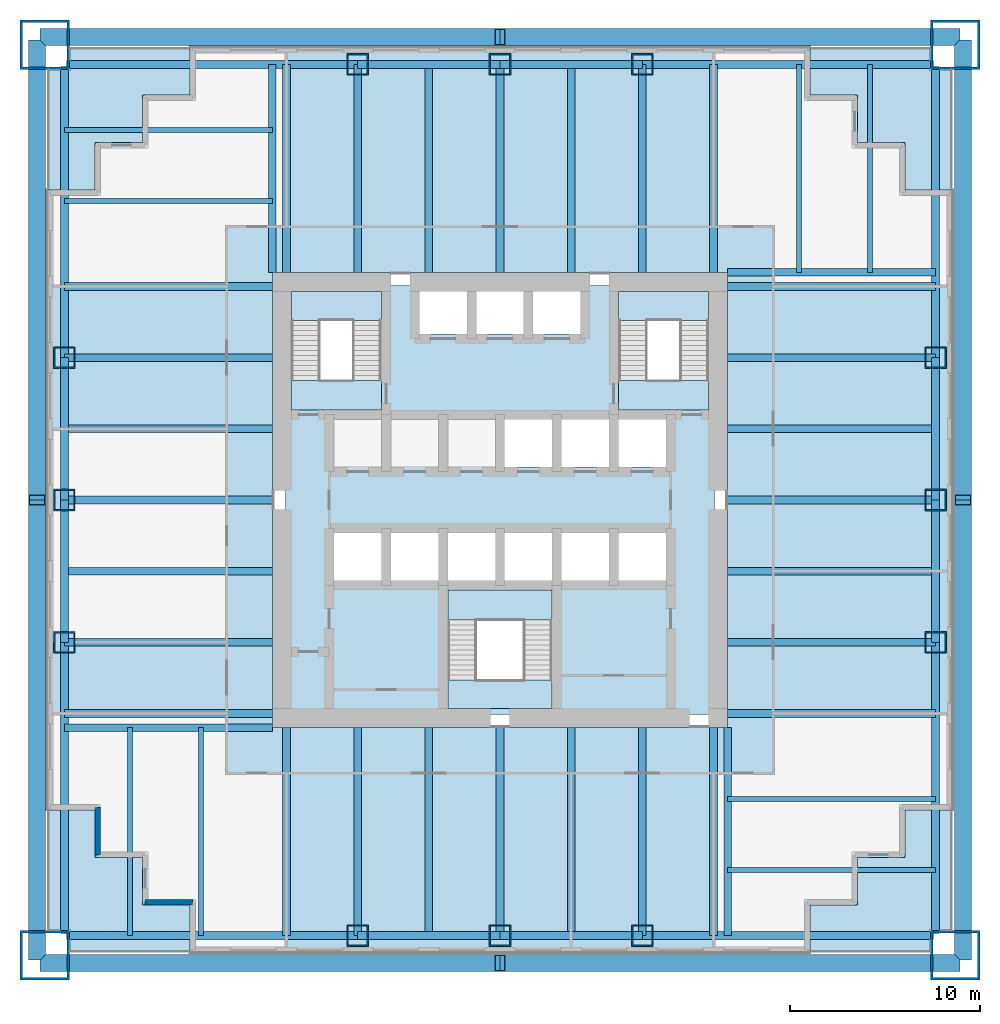
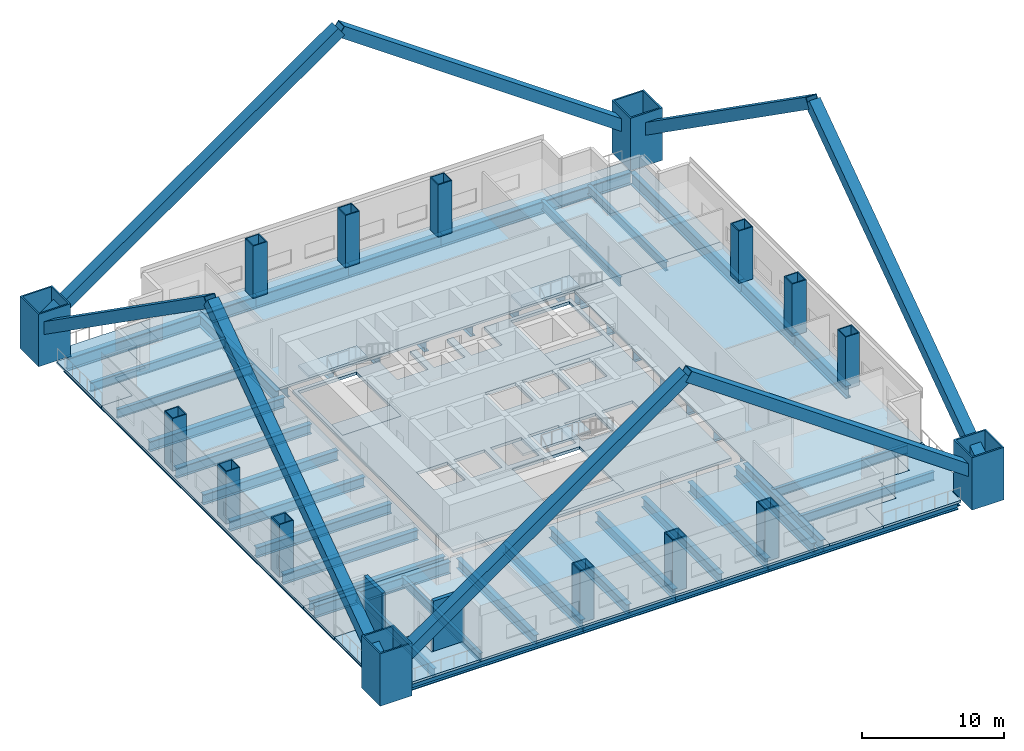
# One storey, part 1 of 6: 56 beams, 16 columns, 15 slabs, 8 members, 2 walls, 3 elements without a shape of their own.
"""IFC4 building model written with IfcOpenShell, lengths in metres."""

from ifc_helpers import new_model, si_unit, direction, frame, frame_2d, origin, origin_2d, place, context, subcontext, project, spatial, polyline, rectangle, hollow_rectangle, i_section, outline, extrude, material, layer, layer_set, material_profile, profile_set, type_object, element, aggregate, save


model = new_model("IFC4")

# Units and contexts
model_context = context("Model", 3, precision=1e-05, world=origin(), true_north=direction((0.0, 1.0)))
body_context = subcontext(model_context, "Body", "Model", "MODEL_VIEW")
ifc_project = project(units=[si_unit("LENGTHUNIT", "METRE"), si_unit("AREAUNIT", "SQUARE_METRE"), si_unit("VOLUMEUNIT", "CUBIC_METRE"), si_unit("PLANEANGLEUNIT", "RADIAN"), si_unit("MASSUNIT", "GRAM", prefix="KILO")], contexts=[model_context])

# Site, building, storey
site_placement = place(None, origin())
site = spatial("IfcSite", under=ifc_project, at=site_placement, CompositionType="ELEMENT")
building_placement = place(site_placement, origin())
building = spatial("IfcBuilding", under=site, at=building_placement, Name="Tarangal Relay Tower", CompositionType="ELEMENT")
storey_placement = place(building_placement, frame((0.0, 0.0, 135.89990234375)))
storey = spatial("IfcBuildingStorey", under=building, at=storey_placement, Name="L27", CompositionType="ELEMENT", Elevation=135.89990234375)

# Columns
ifc_material_1 = material(Name="Steel ASTM A572 Grade 42", Category="steel")
ifc_material_profile_1 = material_profile(ifc_material_1, hollow_rectangle(XDim=2.60009765625, YDim=2.60009765625, WallThickness=0.1298828125, at=origin_2d()), Name="BOX2600X2600X130")
ifc_profile_set_1 = profile_set([ifc_material_profile_1], Name="Steel ASTM A572 Grade 42")
column_type_1 = type_object("IfcColumnType", Name="Mega column BOX2600X2600X130", PredefinedType="COLUMN", material=ifc_profile_set_1)
for number, where, z_axis, x_axis, name in (
    (1, (24.0, 24.0, 0.0), (0.0, 0.0, 1.0), (1.0, 0.0, 0.0), "Mega column MC2 NE L27"),
    (2, (24.0, -24.0, 0.0), (0.0, 0.0, 1.0), (1.0, 0.0, 0.0), "Mega column MC2 SE L27"),
    (3, (-24.0, -24.0, 0.0), (0.0, 0.0, 1.0), (1.0, 0.0, 0.0), "Mega column MC2 SW L27"),
    (4, (-24.0, 24.0, 0.0), (0.0, 0.0, 1.0), (1.0, 0.0, 0.0), "Mega column MC2 NW L27"),
):
    element("IfcColumn", number, at=place(storey_placement, frame(where, z_axis=z_axis, x_axis=x_axis)), inside=storey, type_object=column_type_1, Name=name, PredefinedType="COLUMN", context=body_context, shape_type="SweptSolid", body=[
        extrude(hollow_rectangle(XDim=2.60009765625, YDim=2.60009765625, WallThickness=0.1298828125, at=origin_2d()), origin(), (0.0, 0.0, 1.0), 4.5),
    ])
ifc_material_2 = material(Name="Steel ASTM A572 Grade 50", Category="steel")
ifc_material_profile_2 = material_profile(ifc_material_2, hollow_rectangle(XDim=1.14990234375, YDim=1.14990234375, WallThickness=0.074951171875, at=origin_2d()), Name="BOX1150X1150X75")
ifc_profile_set_2 = profile_set([ifc_material_profile_2], Name="Steel ASTM A572 Grade 50")
column_type_2 = type_object("IfcColumnType", Name="Perimeter column BOX1150X1150X75", PredefinedType="COLUMN", material=ifc_profile_set_2)
for number, where, z_axis, x_axis, name in (
    (5, (-7.5, 22.965087890625, 0.0), (0.0, 0.0, 1.0), (1.0, 0.0, 0.0), "Perimeter column PC3 N L27"),
    (6, (0.0, 22.965087890625, 0.0), (0.0, 0.0, 1.0), (1.0, 0.0, 0.0), "Perimeter column PC3 N L27"),
    (7, (7.5, 22.965087890625, 0.0), (0.0, 0.0, 1.0), (1.0, 0.0, 0.0), "Perimeter column PC3 N L27"),
    (8, (22.965087890625, 7.5, 0.0), (0.0, 0.0, 1.0), (1.0, 0.0, 0.0), "Perimeter column PC3 E L27"),
    (9, (22.965087890625, 0.0, 0.0), (0.0, 0.0, 1.0), (1.0, 0.0, 0.0), "Perimeter column PC3 E L27"),
    (10, (22.965087890625, -7.5, 0.0), (0.0, 0.0, 1.0), (1.0, 0.0, 0.0), "Perimeter column PC3 E L27"),
    (11, (7.5, -22.965087890625, 0.0), (0.0, 0.0, 1.0), (1.0, 0.0, 0.0), "Perimeter column PC3 S L27"),
    (12, (0.0, -22.965087890625, 0.0), (0.0, 0.0, 1.0), (1.0, 0.0, 0.0), "Perimeter column PC3 S L27"),
    (13, (-7.5, -22.965087890625, 0.0), (0.0, 0.0, 1.0), (1.0, 0.0, 0.0), "Perimeter column PC3 S L27"),
    (14, (-22.965087890625, -7.5, 0.0), (0.0, 0.0, 1.0), (1.0, 0.0, 0.0), "Perimeter column PC3 W L27"),
    (15, (-22.965087890625, 0.0, 0.0), (0.0, 0.0, 1.0), (1.0, 0.0, 0.0), "Perimeter column PC3 W L27"),
    (16, (-22.965087890625, 7.5, 0.0), (0.0, 0.0, 1.0), (1.0, 0.0, 0.0), "Perimeter column PC3 W L27"),
):
    element("IfcColumn", number, at=place(storey_placement, frame(where, z_axis=z_axis, x_axis=x_axis)), inside=storey, type_object=column_type_2, Name=name, PredefinedType="COLUMN", context=body_context, shape_type="SweptSolid", body=[
        extrude(hollow_rectangle(XDim=1.14990234375, YDim=1.14990234375, WallThickness=0.074951171875, at=origin_2d()), origin(), (0.0, 0.0, 1.0), 4.5),
    ])

# Beams
ifc_material_3 = material(Name="Steel ASTM A992", Category="steel")
ifc_material_profile_3 = material_profile(ifc_material_3, i_section(OverallWidth=0.2666015625, OverallDepth=0.76953125, WebThickness=0.015625, FlangeThickness=0.025390625, at=origin_2d()), Name="W30X132")
ifc_profile_set_3 = profile_set([ifc_material_profile_3], Name="Steel ASTM A992")
beam_type_1 = type_object("IfcBeamType", Name="Corner beam W30X132", PredefinedType="JOIST", material=ifc_profile_set_3)
for number, where, z_axis, x_axis, name in (
    (17, (15.75, 12.0, -0.584716796875), (0.0, 1.0, 0.0), (-1.0, 0.0, 0.0), "Corner beam CB13 N L27"),
    (18, (19.5, 12.0, -0.584716796875), (0.0, 1.0, 0.0), (-1.0, 0.0, 0.0), "Corner beam CB13 N L27"),
    (19, (12.0, -15.75, -0.584716796875), (1.0, 0.0, 0.0), (0.0, 1.0, 0.0), "Corner beam CB13 E L27"),
    (20, (12.0, -19.5, -0.584716796875), (1.0, 0.0, 0.0), (0.0, 1.0, 0.0), "Corner beam CB13 E L27"),
    (21, (-15.75, -12.0, -0.584716796875), (0.0, -1.0, 0.0), (1.0, 0.0, 0.0), "Corner beam CB13 S L27"),
    (22, (-19.5, -12.0, -0.584716796875), (0.0, -1.0, 0.0), (1.0, 0.0, 0.0), "Corner beam CB13 S L27"),
    (23, (-12.0, 15.75, -0.584716796875), (-1.0, 0.0, 0.0), (0.0, -1.0, 0.0), "Corner beam CB13 W L27"),
    (24, (-12.0, 19.5, -0.584716796875), (-1.0, 0.0, 0.0), (0.0, -1.0, 0.0), "Corner beam CB13 W L27"),
):
    element("IfcBeam", number, at=place(storey_placement, frame(where, z_axis=z_axis, x_axis=x_axis)), inside=storey, type_object=beam_type_1, Name=name, PredefinedType="JOIST", context=body_context, shape_type="SweptSolid", body=[
        extrude(i_section(OverallWidth=0.2666015625, OverallDepth=0.76953125, WebThickness=0.015625, FlangeThickness=0.025390625, at=origin_2d()), origin(), (0.0, 0.0, 1.0), 10.965087890625),
    ])
ifc_material_profile_4 = material_profile(ifc_material_3, i_section(OverallWidth=0.4013671875, OverallDepth=1.01611328125, WebThickness=0.02099609375, FlangeThickness=0.0400390625, at=origin_2d()), Name="W40X277")
ifc_profile_set_4 = profile_set([ifc_material_profile_4], Name="Steel ASTM A992")
beam_type_2 = type_object("IfcBeamType", Name="Corner girder W40X277", PredefinedType="BEAM", material=ifc_profile_set_4)
for number, where, z_axis, x_axis, name in (
    (25, (12.0, 12.0, -0.7080078125), (1.0, 0.0, 0.0), (0.0, 1.0, 0.0), "Corner girder CG3 N L27"),
    (26, (12.0, -12.0, -0.7080078125), (0.0, -1.0, 0.0), (1.0, 0.0, 0.0), "Corner girder CG3 E L27"),
    (27, (-12.0, -12.0, -0.7080078125), (-1.0, 0.0, 0.0), (0.0, -1.0, 0.0), "Corner girder CG3 S L27"),
    (28, (-12.0, 12.0, -0.7080078125), (0.0, 1.0, 0.0), (-1.0, 0.0, 0.0), "Corner girder CG3 W L27"),
):
    element("IfcBeam", number, at=place(storey_placement, frame(where, z_axis=z_axis, x_axis=x_axis)), inside=storey, type_object=beam_type_2, Name=name, PredefinedType="BEAM", context=body_context, shape_type="SweptSolid", body=[
        extrude(i_section(OverallWidth=0.4013671875, OverallDepth=1.01611328125, WebThickness=0.02099609375, FlangeThickness=0.0400390625, at=origin_2d()), origin(), (0.0, 0.0, 1.0), 10.965087890625),
    ])
ifc_material_profile_5 = material_profile(ifc_material_3, i_section(OverallWidth=0.41650390625, OverallDepth=1.0693359375, WebThickness=0.0390625, FlangeThickness=0.070068359375, at=origin_2d()), Name="W40X503")
ifc_profile_set_5 = profile_set([ifc_material_profile_5], Name="Steel ASTM A992")
beam_type_3 = type_object("IfcBeamType", Name="Edge girder W40X503", PredefinedType="SPANDREL", material=ifc_profile_set_5)
beam_1_placement = place(storey_placement, frame((-22.85009765625, 22.965087890625, -0.734619140625), z_axis=(1.0, 0.0, 0.0), x_axis=(0.0, 1.0, 0.0)))
element("IfcBeam", 29, at=beam_1_placement, inside=storey, type_object=beam_type_3, Name="Edge girder EG8 N L27", PredefinedType="SPANDREL", context=body_context, shape_type="SweptSolid", body=[
    extrude(i_section(OverallWidth=0.41650390625, OverallDepth=1.0693359375, WebThickness=0.0390625, FlangeThickness=0.070068359375, at=origin_2d()), origin(), (0.0, 0.0, 1.0), 15.35009765625),
])
for number, where, z_axis, x_axis, name in (
    (30, (-7.5, 22.965087890625, -0.734619140625), (1.0, 0.0, 0.0), (0.0, 1.0, 0.0), "Edge girder EG8 N L27"),
    (31, (0.0, 22.965087890625, -0.734619140625), (1.0, 0.0, 0.0), (0.0, 1.0, 0.0), "Edge girder EG8 N L27"),
):
    element("IfcBeam", number, at=place(storey_placement, frame(where, z_axis=z_axis, x_axis=x_axis)), inside=storey, type_object=beam_type_3, Name=name, PredefinedType="SPANDREL", context=body_context, shape_type="SweptSolid", body=[
        extrude(i_section(OverallWidth=0.41650390625, OverallDepth=1.0693359375, WebThickness=0.0390625, FlangeThickness=0.070068359375, at=origin_2d()), origin(), (0.0, 0.0, 1.0), 7.5),
    ])
for number, where, z_axis, x_axis, name in (
    (32, (7.5, 22.965087890625, -0.734619140625), (1.0, 0.0, 0.0), (0.0, 1.0, 0.0), "Edge girder EG8 N L27"),
    (33, (22.965087890625, 22.85009765625, -0.734619140625), (0.0, -1.0, 0.0), (1.0, 0.0, 0.0), "Edge girder EG8 E L27"),
):
    element("IfcBeam", number, at=place(storey_placement, frame(where, z_axis=z_axis, x_axis=x_axis)), inside=storey, type_object=beam_type_3, Name=name, PredefinedType="SPANDREL", context=body_context, shape_type="SweptSolid", body=[
        extrude(i_section(OverallWidth=0.41650390625, OverallDepth=1.0693359375, WebThickness=0.0390625, FlangeThickness=0.070068359375, at=origin_2d()), origin(), (0.0, 0.0, 1.0), 15.35009765625),
    ])
for number, where, z_axis, x_axis, name in (
    (34, (22.965087890625, 7.5, -0.734619140625), (0.0, -1.0, 0.0), (1.0, 0.0, 0.0), "Edge girder EG8 E L27"),
    (35, (22.965087890625, 0.0, -0.734619140625), (0.0, -1.0, 0.0), (1.0, 0.0, 0.0), "Edge girder EG8 E L27"),
):
    element("IfcBeam", number, at=place(storey_placement, frame(where, z_axis=z_axis, x_axis=x_axis)), inside=storey, type_object=beam_type_3, Name=name, PredefinedType="SPANDREL", context=body_context, shape_type="SweptSolid", body=[
        extrude(i_section(OverallWidth=0.41650390625, OverallDepth=1.0693359375, WebThickness=0.0390625, FlangeThickness=0.070068359375, at=origin_2d()), origin(), (0.0, 0.0, 1.0), 7.5),
    ])
for number, where, z_axis, x_axis, name in (
    (36, (22.965087890625, -7.5, -0.734619140625), (0.0, -1.0, 0.0), (1.0, 0.0, 0.0), "Edge girder EG8 E L27"),
    (37, (22.85009765625, -22.965087890625, -0.734619140625), (-1.0, 0.0, 0.0), (0.0, -1.0, 0.0), "Edge girder EG8 S L27"),
):
    element("IfcBeam", number, at=place(storey_placement, frame(where, z_axis=z_axis, x_axis=x_axis)), inside=storey, type_object=beam_type_3, Name=name, PredefinedType="SPANDREL", context=body_context, shape_type="SweptSolid", body=[
        extrude(i_section(OverallWidth=0.41650390625, OverallDepth=1.0693359375, WebThickness=0.0390625, FlangeThickness=0.070068359375, at=origin_2d()), origin(), (0.0, 0.0, 1.0), 15.35009765625),
    ])
for number, where, z_axis, x_axis, name in (
    (38, (7.5, -22.965087890625, -0.734619140625), (-1.0, 0.0, 0.0), (0.0, -1.0, 0.0), "Edge girder EG8 S L27"),
    (39, (0.0, -22.965087890625, -0.734619140625), (-1.0, 0.0, 0.0), (0.0, -1.0, 0.0), "Edge girder EG8 S L27"),
):
    element("IfcBeam", number, at=place(storey_placement, frame(where, z_axis=z_axis, x_axis=x_axis)), inside=storey, type_object=beam_type_3, Name=name, PredefinedType="SPANDREL", context=body_context, shape_type="SweptSolid", body=[
        extrude(i_section(OverallWidth=0.41650390625, OverallDepth=1.0693359375, WebThickness=0.0390625, FlangeThickness=0.070068359375, at=origin_2d()), origin(), (0.0, 0.0, 1.0), 7.5),
    ])
for number, where, z_axis, x_axis, name in (
    (40, (-7.5, -22.965087890625, -0.734619140625), (-1.0, 0.0, 0.0), (0.0, -1.0, 0.0), "Edge girder EG8 S L27"),
    (41, (-22.965087890625, -22.85009765625, -0.734619140625), (0.0, 1.0, 0.0), (-1.0, 0.0, 0.0), "Edge girder EG8 W L27"),
):
    element("IfcBeam", number, at=place(storey_placement, frame(where, z_axis=z_axis, x_axis=x_axis)), inside=storey, type_object=beam_type_3, Name=name, PredefinedType="SPANDREL", context=body_context, shape_type="SweptSolid", body=[
        extrude(i_section(OverallWidth=0.41650390625, OverallDepth=1.0693359375, WebThickness=0.0390625, FlangeThickness=0.070068359375, at=origin_2d()), origin(), (0.0, 0.0, 1.0), 15.35009765625),
    ])
for number, where, z_axis, x_axis, name in (
    (42, (-22.965087890625, -7.5, -0.734619140625), (0.0, 1.0, 0.0), (-1.0, 0.0, 0.0), "Edge girder EG8 W L27"),
    (43, (-22.965087890625, 0.0, -0.734619140625), (0.0, 1.0, 0.0), (-1.0, 0.0, 0.0), "Edge girder EG8 W L27"),
):
    element("IfcBeam", number, at=place(storey_placement, frame(where, z_axis=z_axis, x_axis=x_axis)), inside=storey, type_object=beam_type_3, Name=name, PredefinedType="SPANDREL", context=body_context, shape_type="SweptSolid", body=[
        extrude(i_section(OverallWidth=0.41650390625, OverallDepth=1.0693359375, WebThickness=0.0390625, FlangeThickness=0.070068359375, at=origin_2d()), origin(), (0.0, 0.0, 1.0), 7.5),
    ])
beam_2_placement = place(storey_placement, frame((-22.965087890625, 7.5, -0.734619140625), z_axis=(0.0, 1.0, 0.0), x_axis=(-1.0, 0.0, 0.0)))
element("IfcBeam", 44, at=beam_2_placement, inside=storey, type_object=beam_type_3, Name="Edge girder EG8 W L27", PredefinedType="SPANDREL", context=body_context, shape_type="SweptSolid", body=[
    extrude(i_section(OverallWidth=0.41650390625, OverallDepth=1.0693359375, WebThickness=0.0390625, FlangeThickness=0.070068359375, at=origin_2d()), origin(), (0.0, 0.0, 1.0), 15.35009765625),
])
ifc_material_profile_6 = material_profile(ifc_material_3, i_section(OverallWidth=0.40380859375, OverallDepth=0.86865234375, WebThickness=0.02099609375, FlangeThickness=0.03564453125, at=origin_2d()), Name="W33X241")
ifc_profile_set_6 = profile_set([ifc_material_profile_6], Name="Steel ASTM A992")
beam_type_4 = type_object("IfcBeamType", Name="Floor beam W33X241", PredefinedType="BEAM", material=ifc_profile_set_6)
for number, where, z_axis, x_axis, name in (
    (45, (-11.25, 12.0, -0.63427734375), (0.0, 1.0, 0.0), (-1.0, 0.0, 0.0), "Floor beam RB11 N L27"),
    (46, (-7.5, 12.0, -0.63427734375), (0.0, 1.0, 0.0), (-1.0, 0.0, 0.0), "Floor beam RB11 N L27"),
    (47, (-3.75, 12.0, -0.63427734375), (0.0, 1.0, 0.0), (-1.0, 0.0, 0.0), "Floor beam RB11 N L27"),
    (48, (0.0, 12.0, -0.63427734375), (0.0, 1.0, 0.0), (-1.0, 0.0, 0.0), "Floor beam RB11 N L27"),
    (49, (3.75, 12.0, -0.63427734375), (0.0, 1.0, 0.0), (-1.0, 0.0, 0.0), "Floor beam RB11 N L27"),
    (50, (7.5, 12.0, -0.63427734375), (0.0, 1.0, 0.0), (-1.0, 0.0, 0.0), "Floor beam RB11 N L27"),
    (51, (11.25, 12.0, -0.63427734375), (0.0, 1.0, 0.0), (-1.0, 0.0, 0.0), "Floor beam RB11 N L27"),
    (52, (12.0, 11.25, -0.63427734375), (1.0, 0.0, 0.0), (0.0, 1.0, 0.0), "Floor beam RB11 E L27"),
    (53, (12.0, 7.5, -0.63427734375), (1.0, 0.0, 0.0), (0.0, 1.0, 0.0), "Floor beam RB11 E L27"),
    (54, (12.0, 3.75, -0.63427734375), (1.0, 0.0, 0.0), (0.0, 1.0, 0.0), "Floor beam RB11 E L27"),
    (55, (12.0, 0.0, -0.63427734375), (1.0, 0.0, 0.0), (0.0, 1.0, 0.0), "Floor beam RB11 E L27"),
    (56, (12.0, -3.75, -0.63427734375), (1.0, 0.0, 0.0), (0.0, 1.0, 0.0), "Floor beam RB11 E L27"),
    (57, (12.0, -7.5, -0.63427734375), (1.0, 0.0, 0.0), (0.0, 1.0, 0.0), "Floor beam RB11 E L27"),
    (58, (12.0, -11.25, -0.63427734375), (1.0, 0.0, 0.0), (0.0, 1.0, 0.0), "Floor beam RB11 E L27"),
    (59, (11.25, -12.0, -0.63427734375), (0.0, -1.0, 0.0), (1.0, 0.0, 0.0), "Floor beam RB11 S L27"),
    (60, (7.5, -12.0, -0.63427734375), (0.0, -1.0, 0.0), (1.0, 0.0, 0.0), "Floor beam RB11 S L27"),
    (61, (3.75, -12.0, -0.63427734375), (0.0, -1.0, 0.0), (1.0, 0.0, 0.0), "Floor beam RB11 S L27"),
    (62, (0.0, -12.0, -0.63427734375), (0.0, -1.0, 0.0), (1.0, 0.0, 0.0), "Floor beam RB11 S L27"),
    (63, (-3.75, -12.0, -0.63427734375), (0.0, -1.0, 0.0), (1.0, 0.0, 0.0), "Floor beam RB11 S L27"),
    (64, (-7.5, -12.0, -0.63427734375), (0.0, -1.0, 0.0), (1.0, 0.0, 0.0), "Floor beam RB11 S L27"),
    (65, (-11.25, -12.0, -0.63427734375), (0.0, -1.0, 0.0), (1.0, 0.0, 0.0), "Floor beam RB11 S L27"),
    (66, (-12.0, -11.25, -0.63427734375), (-1.0, 0.0, 0.0), (0.0, -1.0, 0.0), "Floor beam RB11 W L27"),
    (67, (-12.0, -7.5, -0.63427734375), (-1.0, 0.0, 0.0), (0.0, -1.0, 0.0), "Floor beam RB11 W L27"),
    (68, (-12.0, -3.75, -0.63427734375), (-1.0, 0.0, 0.0), (0.0, -1.0, 0.0), "Floor beam RB11 W L27"),
    (69, (-12.0, 0.0, -0.63427734375), (-1.0, 0.0, 0.0), (0.0, -1.0, 0.0), "Floor beam RB11 W L27"),
    (70, (-12.0, 3.75, -0.63427734375), (-1.0, 0.0, 0.0), (0.0, -1.0, 0.0), "Floor beam RB11 W L27"),
    (71, (-12.0, 7.5, -0.63427734375), (-1.0, 0.0, 0.0), (0.0, -1.0, 0.0), "Floor beam RB11 W L27"),
    (72, (-12.0, 11.25, -0.63427734375), (-1.0, 0.0, 0.0), (0.0, -1.0, 0.0), "Floor beam RB11 W L27"),
):
    element("IfcBeam", number, at=place(storey_placement, frame(where, z_axis=z_axis, x_axis=x_axis)), inside=storey, type_object=beam_type_4, Name=name, PredefinedType="BEAM", context=body_context, shape_type="SweptSolid", body=[
        extrude(i_section(OverallWidth=0.40380859375, OverallDepth=0.86865234375, WebThickness=0.02099609375, FlangeThickness=0.03564453125, at=origin_2d()), origin(), (0.0, 0.0, 1.0), 10.965087890625),
    ])

# Members
ifc_material_profile_7 = material_profile(ifc_material_2, hollow_rectangle(XDim=0.89990234375, YDim=0.89990234375, WallThickness=0.050048828125, at=origin_2d()), Name="BOX900X900X50")
ifc_profile_set_7 = profile_set([ifc_material_profile_7], Name="Steel ASTM A572 Grade 50")
member_type = type_object("IfcMemberType", Name="Mega brace BOX900X900X50", PredefinedType="BRACE", material=ifc_profile_set_7)
for number, where, z_axis, x_axis, name in (
    (73, (-24.0, 24.39990234375, 2.25), (0.818029158386, 0.0, 0.57517675199), (0.0, 1.0, 0.0), "Mega brace MB2 N face module 2"),
    (74, (24.0, 24.39990234375, 2.25), (-0.818029158386, 0.0, 0.57517675199), (0.0, -1.0, 0.0), "Mega brace MB2 N face module 2"),
    (75, (24.39990234375, 24.0, 2.25), (0.0, -0.818029158386, 0.57517675199), (1.0, 0.0, 0.0), "Mega brace MB2 E face module 2"),
    (76, (24.39990234375, -24.0, 2.25), (0.0, 0.818029158386, 0.57517675199), (-1.0, 0.0, 0.0), "Mega brace MB2 E face module 2"),
    (77, (24.0, -24.39990234375, 2.25), (-0.818029158386, 0.0, 0.57517675199), (0.0, -1.0, 0.0), "Mega brace MB2 S face module 2"),
    (78, (-24.0, -24.39990234375, 2.25), (0.818029158386, 0.0, 0.57517675199), (0.0, 1.0, 0.0), "Mega brace MB2 S face module 2"),
    (79, (-24.39990234375, -24.0, 2.25), (0.0, 0.818029158386, 0.57517675199), (-1.0, 0.0, 0.0), "Mega brace MB2 W face module 2"),
    (80, (-24.39990234375, 24.0, 2.25), (0.0, -0.818029158386, 0.57517675199), (1.0, 0.0, 0.0), "Mega brace MB2 W face module 2"),
):
    element("IfcMember", number, at=place(storey_placement, frame(where, z_axis=z_axis, x_axis=x_axis)), inside=storey, type_object=member_type, Name=name, PredefinedType="BRACE", context=body_context, shape_type="SweptSolid", body=[
        extrude(hollow_rectangle(XDim=0.89990234375, YDim=0.89990234375, WallThickness=0.050048828125, at=origin_2d()), origin(), (0.0, 0.0, 1.0), 29.3388671875),
    ])

# Slabs
ifc_material_4 = material(Name="Concrete fc' 35 MPa", Category="concrete")
ifc_layer_1 = layer(ifc_material_4, 0.25)
ifc_layer_set_1 = layer_set([ifc_layer_1], Name="Core floor slab 250")
slab_type_1 = type_object("IfcSlabType", Name="Core floor slab 250", PredefinedType="FLOOR", material=ifc_layer_set_1)
slab_1_placement = place(storey_placement, frame((0.0, 0.0, -0.25)))
element("IfcSlab", 81, at=slab_1_placement, inside=storey, type_object=slab_type_1, Name="Core floor slab L27", PredefinedType="FLOOR", context=body_context, shape_type="SweptSolid", body=[
    extrude(outline(polyline([(11.300048828125, 11.300048828125), (11.300048828125, -11.300048828125), (-11.300048828125, -11.300048828125), (-11.300048828125, 11.300048828125), (-4.25, 11.300048828125), (-4.25, 8.75), (-1.75, 8.75), (-1.75, 11.300048828125), (-1.25, 11.300048828125), (-1.25, 8.75), (1.25, 8.75), (1.25, 11.300048828125), (1.75, 11.300048828125), (1.75, 8.75), (4.25, 8.75), (4.25, 11.300048828125), (11.300048828125, 11.300048828125)]), holes=[polyline([(2.75, -4.75), (-2.75, -4.75), (-2.75, -11.0), (2.75, -11.0), (2.75, -4.75)]), polyline([(-6.25, -4.25), (-6.25, -1.75), (-8.75, -1.75), (-8.75, -4.25), (-6.25, -4.25)]), polyline([(-3.25, -4.25), (-3.25, -1.75), (-5.75, -1.75), (-5.75, -4.25), (-3.25, -4.25)]), polyline([(-0.25, -4.25), (-0.25, -1.75), (-2.75, -1.75), (-2.75, -4.25), (-0.25, -4.25)]), polyline([(2.75, 1.75), (2.75, 4.25), (0.25, 4.25), (0.25, 1.75), (2.75, 1.75)]), polyline([(-6.25, 4.75), (-6.25, 11.0), (-11.0, 11.0), (-11.0, 4.75), (-6.25, 4.75)]), polyline([(2.75, -4.25), (2.75, -1.75), (0.25, -1.75), (0.25, -4.25), (2.75, -4.25)]), polyline([(5.75, -4.25), (5.75, -1.75), (3.25, -1.75), (3.25, -4.25), (5.75, -4.25)]), polyline([(8.75, -4.25), (8.75, -1.75), (6.25, -1.75), (6.25, -4.25), (8.75, -4.25)]), polyline([(5.75, 1.75), (5.75, 4.25), (3.25, 4.25), (3.25, 1.75), (5.75, 1.75)]), polyline([(8.75, 1.75), (8.75, 4.25), (6.25, 4.25), (6.25, 1.75), (8.75, 1.75)]), polyline([(11.0, 4.75), (11.0, 11.0), (6.25, 11.0), (6.25, 4.75), (11.0, 4.75)])]), origin(), (0.0, 0.0, 1.0), 0.25),
])
ifc_layer_2 = layer(ifc_material_4, 0.199951171875)
ifc_layer_set_2 = layer_set([ifc_layer_2], Name="Floor slab 200")
slab_type_2 = type_object("IfcSlabType", Name="Floor slab 200", PredefinedType="FLOOR", material=ifc_layer_set_2)
slab_2_placement = place(storey_placement, frame((0.0, 0.0, -0.199951171875)))
element("IfcSlab", 82, at=slab_2_placement, inside=storey, type_object=slab_type_2, Name="Floor slab FS2 L27 north bay", PredefinedType="FLOOR", context=body_context, shape_type="SweptSolid", body=[
    extrude(outline(polyline([(16.35009765625, 23.85009765625), (16.35009765625, 21.35009765625), (18.85009765625, 21.35009765625), (18.85009765625, 18.85009765625), (21.35009765625, 18.85009765625), (21.35009765625, 16.35009765625), (23.85009765625, 16.35009765625), (23.85009765625, 12.0), (-12.0, 12.0), (-12.0, 23.85009765625), (16.35009765625, 23.85009765625)])), origin(), (0.0, 0.0, 1.0), 0.199951171875),
])
slab_3_placement = place(storey_placement, frame((0.0, 0.0, -0.199951171875)))
element("IfcSlab", 83, at=slab_3_placement, inside=storey, type_object=slab_type_2, Name="Floor slab FS2 L27 east bay", PredefinedType="FLOOR", context=body_context, shape_type="SweptSolid", body=[
    extrude(outline(polyline([(23.85009765625, -16.35009765625), (21.35009765625, -16.35009765625), (21.35009765625, -18.85009765625), (18.85009765625, -18.85009765625), (18.85009765625, -21.35009765625), (16.35009765625, -21.35009765625), (16.35009765625, -23.85009765625), (12.0, -23.85009765625), (12.0, 12.0), (23.85009765625, 12.0), (23.85009765625, -16.35009765625)])), origin(), (0.0, 0.0, 1.0), 0.199951171875),
])
slab_4_placement = place(storey_placement, frame((0.0, 0.0, -0.199951171875)))
element("IfcSlab", 84, at=slab_4_placement, inside=storey, type_object=slab_type_2, Name="Floor slab FS2 L27 south bay", PredefinedType="FLOOR", context=body_context, shape_type="SweptSolid", body=[
    extrude(outline(polyline([(-16.35009765625, -23.85009765625), (-16.35009765625, -21.35009765625), (-18.85009765625, -21.35009765625), (-18.85009765625, -18.85009765625), (-21.35009765625, -18.85009765625), (-21.35009765625, -16.35009765625), (-23.85009765625, -16.35009765625), (-23.85009765625, -12.0), (12.0, -12.0), (12.0, -23.85009765625), (-16.35009765625, -23.85009765625)])), origin(), (0.0, 0.0, 1.0), 0.199951171875),
])
slab_5_placement = place(storey_placement, frame((0.0, 0.0, -0.199951171875)))
element("IfcSlab", 85, at=slab_5_placement, inside=storey, type_object=slab_type_2, Name="Floor slab FS2 L27 west bay", PredefinedType="FLOOR", context=body_context, shape_type="SweptSolid", body=[
    extrude(outline(polyline([(-12.0, 23.85009765625), (-12.0, -12.0), (-23.85009765625, -12.0), (-23.85009765625, 16.35009765625), (-21.35009765625, 16.35009765625), (-21.35009765625, 18.85009765625), (-18.85009765625, 18.85009765625), (-18.85009765625, 21.35009765625), (-16.35009765625, 21.35009765625), (-16.35009765625, 23.85009765625), (-12.0, 23.85009765625)])), origin(), (0.0, 0.0, 1.0), 0.199951171875),
])

# Stair, slabs
ifc_material_5 = material(Name="Steel ASTM A992 stair flight", Category="steel")
stair_type = type_object("IfcStairType", Name="Core stair 1500", PredefinedType="HALF_TURN_STAIR", material=ifc_material_5)
stair_1_placement = place(storey_placement, origin())
stair_1 = element("IfcStair", 86, at=stair_1_placement, inside=storey, type_object=stair_type, Name="Stair ST-A L27", PredefinedType="HALF_TURN_STAIR")
ifc_layer_3 = layer(ifc_material_4, 0.199951171875)
ifc_layer_set_3 = layer_set([ifc_layer_3], Name="Stair landing 200")
slab_type_3 = type_object("IfcSlabType", Name="Stair landing 200", PredefinedType="LANDING", material=ifc_layer_set_3)
slab_6_placement = place(storey_placement, frame((0.0, 0.0, -0.199951171875)))
slab_6 = element("IfcSlab", 87, at=slab_6_placement, type_object=slab_type_3, Name="ST-A landing 1", PredefinedType="LANDING", context=body_context, shape_type="SweptSolid", body=[
    extrude(outline(polyline([(-11.0, 4.75), (-6.25, 4.75), (-6.25, 6.300048828125), (-11.0, 6.300048828125), (-11.0, 4.75)])), origin(), (0.0, 0.0, 1.0), 0.199951171875),
])
slab_7_placement = place(storey_placement, frame((0.0, 0.0, 2.050048828125)))
slab_7 = element("IfcSlab", 88, at=slab_7_placement, type_object=slab_type_3, Name="ST-A landing 2", PredefinedType="LANDING", context=body_context, shape_type="SweptSolid", body=[
    extrude(outline(polyline([(-11.0, 9.468017578125), (-6.25, 9.468017578125), (-6.25, 11.0), (-11.0, 11.0), (-11.0, 9.468017578125)])), origin(), (0.0, 0.0, 1.0), 0.199951171875),
])
aggregate(stair_1, [slab_6, slab_7])

stair_2_placement = place(storey_placement, origin())
stair_2 = element("IfcStair", 89, at=stair_2_placement, inside=storey, type_object=stair_type, Name="Stair ST-B L27", PredefinedType="HALF_TURN_STAIR")
slab_8_placement = place(storey_placement, frame((0.0, 0.0, -0.199951171875)))
slab_8 = element("IfcSlab", 90, at=slab_8_placement, type_object=slab_type_3, Name="ST-B landing 1", PredefinedType="LANDING", context=body_context, shape_type="SweptSolid", body=[
    extrude(outline(polyline([(6.25, 4.75), (11.0, 4.75), (11.0, 6.300048828125), (6.25, 6.300048828125), (6.25, 4.75)])), origin(), (0.0, 0.0, 1.0), 0.199951171875),
])
slab_9_placement = place(storey_placement, frame((0.0, 0.0, 2.050048828125)))
slab_9 = element("IfcSlab", 91, at=slab_9_placement, type_object=slab_type_3, Name="ST-B landing 2", PredefinedType="LANDING", context=body_context, shape_type="SweptSolid", body=[
    extrude(outline(polyline([(6.25, 9.468017578125), (11.0, 9.468017578125), (11.0, 11.0), (6.25, 11.0), (6.25, 9.468017578125)])), origin(), (0.0, 0.0, 1.0), 0.199951171875),
])
aggregate(stair_2, [slab_8, slab_9])

stair_3_placement = place(storey_placement, origin())
stair_3 = element("IfcStair", 92, at=stair_3_placement, inside=storey, type_object=stair_type, Name="Stair ST-C L27", PredefinedType="HALF_TURN_STAIR")
slab_10_placement = place(storey_placement, frame((0.0, 0.0, -0.199951171875)))
slab_10 = element("IfcSlab", 93, at=slab_10_placement, type_object=slab_type_3, Name="ST-C landing 1", PredefinedType="LANDING", context=body_context, shape_type="SweptSolid", body=[
    extrude(outline(polyline([(-2.75, -11.0), (2.75, -11.0), (2.75, -9.5), (-2.75, -9.5), (-2.75, -11.0)])), origin(), (0.0, 0.0, 1.0), 0.199951171875),
])
slab_11_placement = place(storey_placement, frame((0.0, 0.0, 2.050048828125)))
slab_11 = element("IfcSlab", 94, at=slab_11_placement, type_object=slab_type_3, Name="ST-C landing 2", PredefinedType="LANDING", context=body_context, shape_type="SweptSolid", body=[
    extrude(outline(polyline([(-2.75, -6.33203125), (2.75, -6.33203125), (2.75, -4.75), (-2.75, -4.75), (-2.75, -6.33203125)])), origin(), (0.0, 0.0, 1.0), 0.199951171875),
])
aggregate(stair_3, [slab_10, slab_11])

# Slabs
ifc_layer_4 = layer(ifc_material_4, 0.199951171875)
ifc_layer_set_4 = layer_set([ifc_layer_4], Name="Terrace slab 200")
slab_type_4 = type_object("IfcSlabType", Name="Terrace slab 200", PredefinedType="FLOOR", material=ifc_layer_set_4)
slab_12_placement = place(storey_placement, frame((0.0, 0.0, -0.199951171875)))
element("IfcSlab", 95, at=slab_12_placement, inside=storey, type_object=slab_type_4, Name="Corner terrace NE L27", PredefinedType="FLOOR", context=body_context, shape_type="SweptSolid", body=[
    extrude(outline(polyline([(16.35009765625, 23.85009765625), (16.35009765625, 21.35009765625), (18.85009765625, 21.35009765625), (18.85009765625, 18.85009765625), (21.35009765625, 18.85009765625), (21.35009765625, 16.35009765625), (23.85009765625, 16.35009765625), (23.85009765625, 22.64990234375), (22.64990234375, 22.64990234375), (22.64990234375, 23.85009765625), (16.35009765625, 23.85009765625)])), origin(), (0.0, 0.0, 1.0), 0.199951171875),
])
slab_13_placement = place(storey_placement, frame((0.0, 0.0, -0.199951171875)))
element("IfcSlab", 96, at=slab_13_placement, inside=storey, type_object=slab_type_4, Name="Corner terrace SE L27", PredefinedType="FLOOR", context=body_context, shape_type="SweptSolid", body=[
    extrude(outline(polyline([(23.85009765625, -16.35009765625), (21.35009765625, -16.35009765625), (21.35009765625, -18.85009765625), (18.85009765625, -18.85009765625), (18.85009765625, -21.35009765625), (16.35009765625, -21.35009765625), (16.35009765625, -23.85009765625), (22.64990234375, -23.85009765625), (22.64990234375, -22.64990234375), (23.85009765625, -22.64990234375), (23.85009765625, -16.35009765625)])), origin(), (0.0, 0.0, 1.0), 0.199951171875),
])
slab_14_placement = place(storey_placement, frame((0.0, 0.0, -0.199951171875)))
element("IfcSlab", 97, at=slab_14_placement, inside=storey, type_object=slab_type_4, Name="Corner terrace SW L27", PredefinedType="FLOOR", context=body_context, shape_type="SweptSolid", body=[
    extrude(outline(polyline([(-16.35009765625, -23.85009765625), (-16.35009765625, -21.35009765625), (-18.85009765625, -21.35009765625), (-18.85009765625, -18.85009765625), (-21.35009765625, -18.85009765625), (-21.35009765625, -16.35009765625), (-23.85009765625, -16.35009765625), (-23.85009765625, -22.64990234375), (-22.64990234375, -22.64990234375), (-22.64990234375, -23.85009765625), (-16.35009765625, -23.85009765625)])), origin(), (0.0, 0.0, 1.0), 0.199951171875),
])
slab_15_placement = place(storey_placement, frame((0.0, 0.0, -0.199951171875)))
element("IfcSlab", 98, at=slab_15_placement, inside=storey, type_object=slab_type_4, Name="Corner terrace NW L27", PredefinedType="FLOOR", context=body_context, shape_type="SweptSolid", body=[
    extrude(outline(polyline([(-23.85009765625, 16.35009765625), (-21.35009765625, 16.35009765625), (-21.35009765625, 18.85009765625), (-18.85009765625, 18.85009765625), (-18.85009765625, 21.35009765625), (-16.35009765625, 21.35009765625), (-16.35009765625, 23.85009765625), (-22.64990234375, 23.85009765625), (-22.64990234375, 22.64990234375), (-23.85009765625, 22.64990234375), (-23.85009765625, 16.35009765625)])), origin(), (0.0, 0.0, 1.0), 0.199951171875),
])

# Walls
ifc_material_6 = material(Name="Insulated precast concrete fc' 40 MPa", Category="concrete")
ifc_layer_5 = layer(ifc_material_6, 0.300048828125)
ifc_layer_set_5 = layer_set([ifc_layer_5], Name="Insulated precast concrete fc' 40 MPa")
wall_type = type_object("IfcWallType", Name="Facade wall precast 300", PredefinedType="SOLIDWALL", material=ifc_layer_set_5)
for number, where, z_axis, x_axis, name in (
    (99, (-16.199951171875, -21.199951171875, 0.0), (0.0, 0.0, 1.0), (-1.0, 0.0, 0.0), "Facade wall S facade L27"),
    (100, (-21.199951171875, -18.699951171875, 0.0), (0.0, 0.0, 1.0), (0.0, 1.0, 0.0), "Facade wall S facade L27"),
):
    element("IfcWall", number, at=place(storey_placement, frame(where, z_axis=z_axis, x_axis=x_axis)), inside=storey, type_object=wall_type, Name=name, PredefinedType="SOLIDWALL", context=body_context, shape_type="SweptSolid", body=[
        extrude(rectangle(XDim=2.5, YDim=0.300048828125, at=frame_2d((1.25, 0.0))), origin(), (0.0, 0.0, 1.0), 4.300048828125),
    ])

save(model, "model.ifc")
